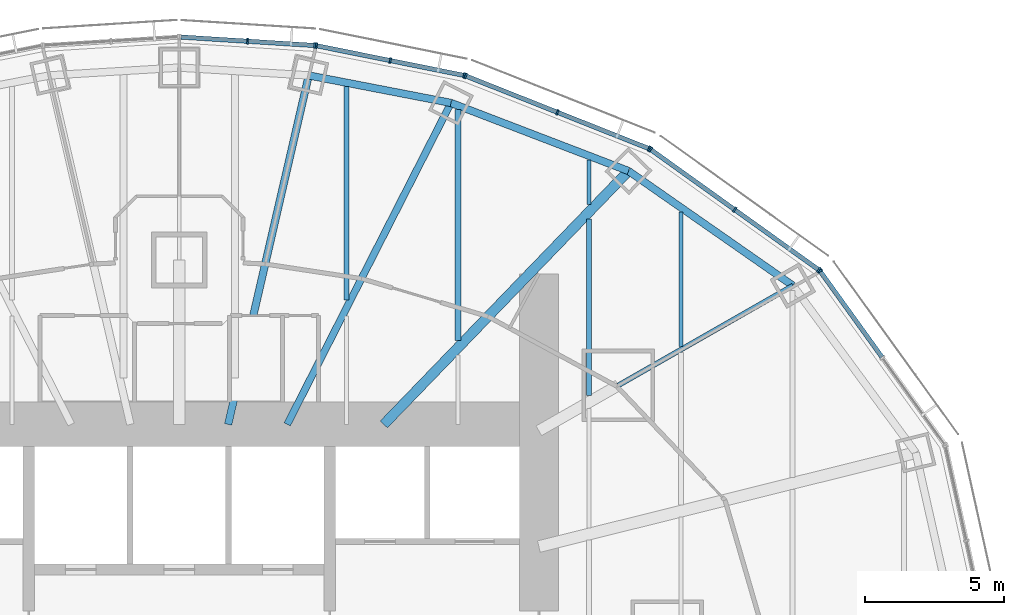
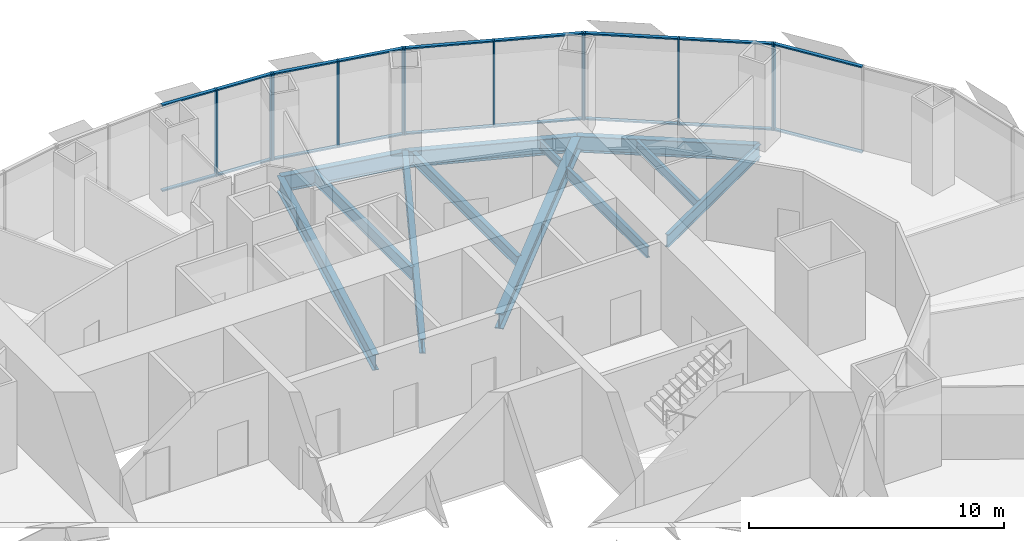
# One storey, part 8 of 18: 30 members, 12 beams, 5 elements without a shape of their own.
"""IFC4 building model written with IfcOpenShell, lengths in metres."""

from ifc_helpers import new_model, si_unit, direction, frame, origin, origin_2d, place, context, subcontext, project, spatial, rectangle, i_section, extrude, material, material_profile, profile_set, type_object, element, aggregate, save


model = new_model("IFC4")

# Units and contexts
model_context = context("Model", 3, precision=1e-05, world=origin(), true_north=direction((0.0, 1.0)))
body_context = subcontext(model_context, "Body", "Model", "MODEL_VIEW")
ifc_project = project(units=[si_unit("LENGTHUNIT", "METRE"), si_unit("AREAUNIT", "SQUARE_METRE"), si_unit("VOLUMEUNIT", "CUBIC_METRE"), si_unit("PLANEANGLEUNIT", "RADIAN"), si_unit("MASSUNIT", "GRAM", prefix="KILO")], contexts=[model_context])

# Site, building, storey
site_placement = place(None, origin())
site = spatial("IfcSite", under=ifc_project, at=site_placement, CompositionType="ELEMENT")
building_placement = place(site_placement, origin())
building = spatial("IfcBuilding", under=site, at=building_placement, Name="Lantaw Convention Tower", CompositionType="ELEMENT")
storey_placement = place(building_placement, frame((0.0, 0.0, 146.800048828125)))
storey = spatial("IfcBuildingStorey", under=building, at=storey_placement, Name="L34", CompositionType="ELEMENT", Elevation=146.800048828125)

# Beams
ifc_material_1 = material(Name="Steel ASTM A992", Category="steel")
ifc_material_profile_1 = material_profile(ifc_material_1, i_section(OverallWidth=0.2666015625, OverallDepth=0.76953125, WebThickness=0.015625, FlangeThickness=0.025390625, FilletRadius=0.0126953125, at=origin_2d()), Name="W30X132")
ifc_profile_set_1 = profile_set([ifc_material_profile_1], Name="Steel ASTM A992")
beam_type_1 = type_object("IfcBeamType", Name="Beam E W30X132", PredefinedType="SPANDREL", material=ifc_profile_set_1)
beam_1_placement = place(storey_placement, frame((22.013916015625, 12.579345703125, -0.534912109375), z_axis=(-0.820310765287, 0.57191804339, 0.0), x_axis=(-0.57191804339, -0.820310765287, 0.0)))
element("IfcBeam", 1, at=beam_1_placement, inside=storey, type_object=beam_type_1, Name="Edge beam 3", PredefinedType="SPANDREL", context=body_context, shape_type="SweptSolid", body=[
    extrude(i_section(OverallWidth=0.2666015625, OverallDepth=0.76953125, WebThickness=0.015625, FlangeThickness=0.025390625, FilletRadius=0.0126953125, at=origin_2d()), origin(), (0.0, 0.0, 1.0), 7.187744140625),
])
beam_2_placement = place(storey_placement, frame((16.11767578125, 16.690185546875, -0.534912109375), z_axis=(-0.933691081977, 0.358079549033, 0.0), x_axis=(-0.358079549033, -0.933691081977, 0.0)))
element("IfcBeam", 2, at=beam_2_placement, inside=storey, type_object=beam_type_1, Name="Edge beam 4", PredefinedType="SPANDREL", context=body_context, shape_type="SweptSolid", body=[
    extrude(i_section(OverallWidth=0.2666015625, OverallDepth=0.76953125, WebThickness=0.015625, FlangeThickness=0.025390625, FilletRadius=0.0126953125, at=origin_2d()), origin(), (0.0, 0.0, 1.0), 6.821533203125),
])
beam_3_placement = place(storey_placement, frame((9.74853515625, 19.1328125, -0.534912109375), z_axis=(-0.981796805654, 0.189934284446, 0.0), x_axis=(-0.189934284446, -0.981796805654, 0.0)))
element("IfcBeam", 3, at=beam_3_placement, inside=storey, type_object=beam_type_1, Name="Edge beam 5", PredefinedType="SPANDREL", context=body_context, shape_type="SweptSolid", body=[
    extrude(i_section(OverallWidth=0.2666015625, OverallDepth=0.76953125, WebThickness=0.015625, FlangeThickness=0.025390625, FilletRadius=0.0126953125, at=origin_2d()), origin(), (0.0, 0.0, 1.0), 5.1982421875),
])
ifc_material_profile_2 = material_profile(ifc_material_1, i_section(OverallWidth=0.177978515625, OverallDepth=0.599365234375, WebThickness=0.010009765625, FlangeThickness=0.012939453125, FilletRadius=0.012939453125, at=origin_2d()), Name="W24X55")
ifc_profile_set_2 = profile_set([ifc_material_profile_2], Name="Steel ASTM A992")
beam_type_2 = type_object("IfcBeamType", Name="Beam G W24X55", PredefinedType="BEAM", material=ifc_profile_set_2)
beam_4_placement = place(storey_placement, frame((15.75, 9.0, -0.44970703125), z_axis=(0.868245224608, 0.496135293993, 0.0), x_axis=(-0.496135293993, 0.868245224608, 0.0)))
element("IfcBeam", 4, at=beam_4_placement, inside=storey, type_object=beam_type_2, Name="Floor girder on ray 3", PredefinedType="BEAM", context=body_context, shape_type="SweptSolid", body=[
    extrude(i_section(OverallWidth=0.177978515625, OverallDepth=0.599365234375, WebThickness=0.010009765625, FlangeThickness=0.012939453125, FilletRadius=0.012939453125, at=origin_2d()), origin(), (0.0, 0.0, 1.0), 7.21435546875),
])
ifc_material_profile_3 = material_profile(ifc_material_1, i_section(OverallWidth=0.25390625, OverallDepth=0.700927734375, WebThickness=0.015380859375, FlangeThickness=0.02783203125, FilletRadius=0.01513671875, at=origin_2d()), Name="W27X129")
ifc_profile_set_3 = profile_set([ifc_material_profile_3], Name="Steel ASTM A992")
beam_type_3 = type_object("IfcBeamType", Name="Beam G W27X129", PredefinedType="BEAM", material=ifc_profile_set_3)
beam_5_placement = place(storey_placement, frame((3.872314453125, 7.60009765625, -0.50048828125), z_axis=(0.453991051051, 0.891006243281, 0.0), x_axis=(-0.891006243281, 0.453991051051, 0.0)))
element("IfcBeam", 5, at=beam_5_placement, inside=storey, type_object=beam_type_3, Name="Floor girder on ray 5", PredefinedType="BEAM", context=body_context, shape_type="SweptSolid", body=[
    extrude(i_section(OverallWidth=0.25390625, OverallDepth=0.700927734375, WebThickness=0.015380859375, FlangeThickness=0.02783203125, FilletRadius=0.01513671875, at=origin_2d()), origin(), (0.0, 0.0, 1.0), 12.943359375),
])
ifc_material_profile_4 = material_profile(ifc_material_1, i_section(OverallWidth=0.360595703125, OverallDepth=0.72900390625, WebThickness=0.023193359375, FlangeThickness=0.041015625, FilletRadius=0.0126953125, at=origin_2d()), Name="W27X235")
ifc_profile_set_4 = profile_set([ifc_material_profile_4], Name="Steel ASTM A992")
beam_type_4 = type_object("IfcBeamType", Name="Beam G W27X235", PredefinedType="BEAM", material=ifc_profile_set_4)
beam_6_placement = place(storey_placement, frame((7.33935546875, 7.60009765625, -0.5146484375), z_axis=(0.694663467407, 0.719334878239, 0.0), x_axis=(-0.719334878239, 0.694663467407, 0.0)))
element("IfcBeam", 6, at=beam_6_placement, inside=storey, type_object=beam_type_4, Name="Floor girder on ray 4", PredefinedType="BEAM", context=body_context, shape_type="SweptSolid", body=[
    extrude(i_section(OverallWidth=0.360595703125, OverallDepth=0.72900390625, WebThickness=0.023193359375, FlangeThickness=0.041015625, FilletRadius=0.0126953125, at=origin_2d()), origin(), (0.0, 0.0, 1.0), 12.63671875),
])
ifc_material_profile_5 = material_profile(ifc_material_1, i_section(OverallWidth=0.2666015625, OverallDepth=0.7568359375, WebThickness=0.013916015625, FlangeThickness=0.019287109375, FilletRadius=0.0126953125, at=origin_2d()), Name="W30X108")
ifc_profile_set_5 = profile_set([ifc_material_profile_5], Name="Steel ASTM A992")
beam_type_5 = type_object("IfcBeamType", Name="Beam G W30X108", PredefinedType="BEAM", material=ifc_profile_set_5)
beam_7_placement = place(storey_placement, frame((1.754638671875, 7.60009765625, -0.528564453125), z_axis=(0.224944153104, 0.974371658036, 0.0), x_axis=(-0.974371658036, 0.224944153104, 0.0)))
element("IfcBeam", 7, at=beam_7_placement, inside=storey, type_object=beam_type_5, Name="Floor girder on ray 6", PredefinedType="BEAM", context=body_context, shape_type="SweptSolid", body=[
    extrude(i_section(OverallWidth=0.2666015625, OverallDepth=0.7568359375, WebThickness=0.013916015625, FlangeThickness=0.019287109375, FilletRadius=0.0126953125, at=origin_2d()), origin(), (0.0, 0.0, 1.0), 12.849365234375),
])
ifc_material_profile_6 = material_profile(ifc_material_1, i_section(OverallWidth=0.140380859375, OverallDepth=0.40380859375, WebThickness=0.007080078125, FlangeThickness=0.01123046875, FilletRadius=0.01025390625, at=origin_2d()), Name="W16X31")
ifc_profile_set_6 = profile_set([ifc_material_profile_6], Name="Steel ASTM A992")
beam_type_6 = type_object("IfcBeamType", Name="Beam J W16X31", PredefinedType="JOIST", material=ifc_profile_set_6)
beam_8_placement = place(storey_placement, frame((14.699951171875, 15.48193359375, -0.35205078125), z_axis=(0.0, 1.0, 0.0), x_axis=(-1.0, 0.0, 0.0)))
element("IfcBeam", 8, at=beam_8_placement, inside=storey, type_object=beam_type_6, Name="Floor joist", PredefinedType="JOIST", context=body_context, shape_type="SweptSolid", body=[
    extrude(i_section(OverallWidth=0.140380859375, OverallDepth=0.40380859375, WebThickness=0.007080078125, FlangeThickness=0.01123046875, FilletRadius=0.01025390625, at=origin_2d()), origin(), (0.0, 0.0, 1.0), 1.609130859375),
])
ifc_material_profile_7 = material_profile(ifc_material_1, i_section(OverallWidth=0.15234375, OverallDepth=0.449462890625, WebThickness=0.007568359375, FlangeThickness=0.0107421875, FilletRadius=0.01025390625, at=origin_2d()), Name="W18X35")
ifc_profile_set_7 = profile_set([ifc_material_profile_7], Name="Steel ASTM A992")
beam_type_7 = type_object("IfcBeamType", Name="Beam J W18X35", PredefinedType="JOIST", material=ifc_profile_set_7)
beam_9_placement = place(storey_placement, frame((18.0, 10.38818359375, -0.374755859375), z_axis=(0.0, 1.0, 0.0), x_axis=(-1.0, 0.0, 0.0)))
element("IfcBeam", 9, at=beam_9_placement, inside=storey, type_object=beam_type_7, Name="Floor joist", PredefinedType="JOIST", context=body_context, shape_type="SweptSolid", body=[
    extrude(i_section(OverallWidth=0.15234375, OverallDepth=0.449462890625, WebThickness=0.007568359375, FlangeThickness=0.0107421875, FilletRadius=0.01025390625, at=origin_2d()), origin(), (0.0, 0.0, 1.0), 4.8271484375),
])
ifc_material_profile_8 = material_profile(ifc_material_1, i_section(OverallWidth=0.1650390625, OverallDepth=0.52587890625, WebThickness=0.0087890625, FlangeThickness=0.011474609375, FilletRadius=0.0126953125, at=origin_2d()), Name="W21X44")
ifc_profile_set_8 = profile_set([ifc_material_profile_8], Name="Steel ASTM A992")
beam_type_8 = type_object("IfcBeamType", Name="Beam J W21X44", PredefinedType="JOIST", material=ifc_profile_set_8)
beam_10_placement = place(storey_placement, frame((14.699951171875, 8.632568359375, -0.412841796875), z_axis=(0.0, 1.0, 0.0), x_axis=(-1.0, 0.0, 0.0)))
element("IfcBeam", 10, at=beam_10_placement, inside=storey, type_object=beam_type_8, Name="Floor joist", PredefinedType="JOIST", context=body_context, shape_type="SweptSolid", body=[
    extrude(i_section(OverallWidth=0.1650390625, OverallDepth=0.52587890625, WebThickness=0.0087890625, FlangeThickness=0.011474609375, FilletRadius=0.0126953125, at=origin_2d()), origin(), (0.0, 0.0, 1.0), 6.330078125),
])
ifc_material_profile_9 = material_profile(ifc_material_1, i_section(OverallWidth=0.2099609375, OverallDepth=0.535888671875, WebThickness=0.010986328125, FlangeThickness=0.017333984375, FilletRadius=0.012939453125, at=origin_2d()), Name="W21X68")
ifc_profile_set_9 = profile_set([ifc_material_profile_9], Name="Steel ASTM A992")
beam_type_9 = type_object("IfcBeamType", Name="Beam J W21X68", PredefinedType="JOIST", material=ifc_profile_set_9)
beam_11_placement = place(storey_placement, frame((10.0, 10.614990234375, -0.41796875), z_axis=(0.0, 1.0, 0.0), x_axis=(-1.0, 0.0, 0.0)))
element("IfcBeam", 11, at=beam_11_placement, inside=storey, type_object=beam_type_9, Name="Floor joist", PredefinedType="JOIST", context=body_context, shape_type="SweptSolid", body=[
    extrude(i_section(OverallWidth=0.2099609375, OverallDepth=0.535888671875, WebThickness=0.010986328125, FlangeThickness=0.017333984375, FilletRadius=0.012939453125, at=origin_2d()), origin(), (0.0, 0.0, 1.0), 8.278564453125),
])
ifc_material_profile_10 = material_profile(ifc_material_1, i_section(OverallWidth=0.177978515625, OverallDepth=0.599365234375, WebThickness=0.010009765625, FlangeThickness=0.012939453125, FilletRadius=0.012939453125, at=origin_2d()), Name="W24X55")
ifc_profile_set_10 = profile_set([ifc_material_profile_10], Name="Steel ASTM A992")
beam_type_10 = type_object("IfcBeamType", Name="Beam J W24X55", PredefinedType="JOIST", material=ifc_profile_set_10)
beam_12_placement = place(storey_placement, frame((6.0, 12.055419921875, -0.44970703125), z_axis=(0.0, 1.0, 0.0), x_axis=(-1.0, 0.0, 0.0)))
element("IfcBeam", 12, at=beam_12_placement, inside=storey, type_object=beam_type_10, Name="Floor joist", PredefinedType="JOIST", context=body_context, shape_type="SweptSolid", body=[
    extrude(i_section(OverallWidth=0.177978515625, OverallDepth=0.599365234375, WebThickness=0.010009765625, FlangeThickness=0.012939453125, FilletRadius=0.012939453125, at=origin_2d()), origin(), (0.0, 0.0, 1.0), 7.666748046875),
])

# Curtain wall, member
ifc_material_2 = material(Name="Aluminium framed curtain wall", Category="aluminium")
curtain_wall_type = type_object("IfcCurtainWallType", Name="Office curtain wall low rise, pale aluminium", PredefinedType="USERDEFINED", material=ifc_material_2)
curtain_wall_1_placement = place(storey_placement, origin())
curtain_wall_1 = element("IfcCurtainWall", 13, at=curtain_wall_1_placement, inside=storey, type_object=curtain_wall_type, Name="Office curtain wall low rise, pale aluminium L34", ObjectType="UNITISED CURTAIN WALL", PredefinedType="USERDEFINED")
ifc_material_3 = material(Name="Aluminium 6063-T6", Category="aluminium")
ifc_material_profile_11 = material_profile(ifc_material_3, rectangle(XDim=0.199951171875, YDim=0.06494140625, at=origin_2d()), Name="CW-O1 mullion 65x200")
ifc_profile_set_11 = profile_set([ifc_material_profile_11], Name="Aluminium 6063-T6")
member_type_1 = type_object("IfcMemberType", Name="CW-O1 mullion 65x200", PredefinedType="MULLION", material=ifc_profile_set_11)
member_1_placement = place(storey_placement, frame((22.988037109375, 13.098876953125, -0.150146484375), z_axis=(0.0, 0.0, 1.0), x_axis=(-0.811384633629, -0.584512597221, 0.0)))
member_1 = element("IfcMember", 14, at=member_1_placement, type_object=member_type_1, Name="CW-O1 mullion 3", PredefinedType="MULLION", context=body_context, shape_type="SweptSolid", body=[
    extrude(rectangle(XDim=0.199951171875, YDim=0.06494140625, at=origin_2d()), origin(), (0.0, 0.0, 1.0), 4.150146484375),
])

# Curtain wall, members
curtain_wall_2_placement = place(storey_placement, origin())
curtain_wall_2 = element("IfcCurtainWall", 15, at=curtain_wall_2_placement, inside=storey, type_object=curtain_wall_type, Name="Office curtain wall low rise, pale aluminium L34", ObjectType="UNITISED CURTAIN WALL", PredefinedType="USERDEFINED")
member_2_placement = place(storey_placement, frame((22.942626953125, 13.14404296875, -0.150146484375), z_axis=(0.0, 0.0, 1.0), x_axis=(-0.581972695693, -0.813208325995, 0.0)))
member_2 = element("IfcMember", 16, at=member_2_placement, type_object=member_type_1, Name="CW-O1 mullion 1", PredefinedType="MULLION", context=body_context, shape_type="SweptSolid", body=[
    extrude(rectangle(XDim=0.199951171875, YDim=0.06494140625, at=origin_2d()), origin(), (0.0, 0.0, 1.0), 4.150146484375),
])
member_3_placement = place(storey_placement, frame((19.92529296875, 15.303466796875, -0.150146484375), z_axis=(0.0, 0.0, 1.0), x_axis=(-0.581972695693, -0.813208325995, 0.0)))
member_3 = element("IfcMember", 17, at=member_3_placement, type_object=member_type_1, Name="CW-O1 mullion 2", PredefinedType="MULLION", context=body_context, shape_type="SweptSolid", body=[
    extrude(rectangle(XDim=0.199951171875, YDim=0.06494140625, at=origin_2d()), origin(), (0.0, 0.0, 1.0), 4.150146484375),
])
member_4_placement = place(storey_placement, frame((16.908203125, 17.462646484375, -0.150146484375), z_axis=(0.0, 0.0, 1.0), x_axis=(-0.581972695693, -0.813208325995, 0.0)))
member_4 = element("IfcMember", 18, at=member_4_placement, type_object=member_type_1, Name="CW-O1 mullion 3", PredefinedType="MULLION", context=body_context, shape_type="SweptSolid", body=[
    extrude(rectangle(XDim=0.199951171875, YDim=0.06494140625, at=origin_2d()), origin(), (0.0, 0.0, 1.0), 4.150146484375),
])

curtain_wall_3_placement = place(storey_placement, origin())
curtain_wall_3 = element("IfcCurtainWall", 19, at=curtain_wall_3_placement, inside=storey, type_object=curtain_wall_type, Name="Office curtain wall low rise, pale aluminium L34", ObjectType="UNITISED CURTAIN WALL", PredefinedType="USERDEFINED")
member_5_placement = place(storey_placement, frame((16.8515625, 17.49365234375, -0.150146484375), z_axis=(0.0, 0.0, 1.0), x_axis=(-0.368701907483, -0.929547687544, 0.0)))
member_5 = element("IfcMember", 20, at=member_5_placement, type_object=member_type_1, Name="CW-O1 mullion 1", PredefinedType="MULLION", context=body_context, shape_type="SweptSolid", body=[
    extrude(rectangle(XDim=0.199951171875, YDim=0.06494140625, at=origin_2d()), origin(), (0.0, 0.0, 1.0), 4.150146484375),
])
member_6_placement = place(storey_placement, frame((13.56494140625, 18.797119140625, -0.150146484375), z_axis=(0.0, 0.0, 1.0), x_axis=(-0.368701907483, -0.929547687544, 0.0)))
member_6 = element("IfcMember", 21, at=member_6_placement, type_object=member_type_1, Name="CW-O1 mullion 2", PredefinedType="MULLION", context=body_context, shape_type="SweptSolid", body=[
    extrude(rectangle(XDim=0.199951171875, YDim=0.06494140625, at=origin_2d()), origin(), (0.0, 0.0, 1.0), 4.150146484375),
])
member_7_placement = place(storey_placement, frame((10.2783203125, 20.100830078125, -0.150146484375), z_axis=(0.0, 0.0, 1.0), x_axis=(-0.368701907483, -0.929547687544, 0.0)))
member_7 = element("IfcMember", 22, at=member_7_placement, type_object=member_type_1, Name="CW-O1 mullion 3", PredefinedType="MULLION", context=body_context, shape_type="SweptSolid", body=[
    extrude(rectangle(XDim=0.199951171875, YDim=0.06494140625, at=origin_2d()), origin(), (0.0, 0.0, 1.0), 4.150146484375),
])

curtain_wall_4_placement = place(storey_placement, origin())
curtain_wall_4 = element("IfcCurtainWall", 23, at=curtain_wall_4_placement, inside=storey, type_object=curtain_wall_type, Name="Office curtain wall low rise, pale aluminium L34", ObjectType="UNITISED CURTAIN WALL", PredefinedType="USERDEFINED")
member_8_placement = place(storey_placement, frame((10.216064453125, 20.119140625, -0.150146484375), z_axis=(0.0, 0.0, 1.0), x_axis=(-0.197506809659, -0.980301514912, 0.0)))
member_8 = element("IfcMember", 24, at=member_8_placement, type_object=member_type_1, Name="CW-O1 mullion 1", PredefinedType="MULLION", context=body_context, shape_type="SweptSolid", body=[
    extrude(rectangle(XDim=0.199951171875, YDim=0.06494140625, at=origin_2d()), origin(), (0.0, 0.0, 1.0), 4.150146484375),
])
member_9_placement = place(storey_placement, frame((7.5703125, 20.65234375, -0.150146484375), z_axis=(0.0, 0.0, 1.0), x_axis=(-0.197506809659, -0.980301514912, 0.0)))
member_9 = element("IfcMember", 25, at=member_9_placement, type_object=member_type_1, Name="CW-O1 mullion 2", PredefinedType="MULLION", context=body_context, shape_type="SweptSolid", body=[
    extrude(rectangle(XDim=0.199951171875, YDim=0.06494140625, at=origin_2d()), origin(), (0.0, 0.0, 1.0), 4.150146484375),
])
member_10_placement = place(storey_placement, frame((4.92431640625, 21.185302734375, -0.150146484375), z_axis=(0.0, 0.0, 1.0), x_axis=(-0.197506809659, -0.980301514912, 0.0)))
member_10 = element("IfcMember", 26, at=member_10_placement, type_object=member_type_1, Name="CW-O1 mullion 3", PredefinedType="MULLION", context=body_context, shape_type="SweptSolid", body=[
    extrude(rectangle(XDim=0.199951171875, YDim=0.06494140625, at=origin_2d()), origin(), (0.0, 0.0, 1.0), 4.150146484375),
])

curtain_wall_5_placement = place(storey_placement, origin())
curtain_wall_5 = element("IfcCurtainWall", 27, at=curtain_wall_5_placement, inside=storey, type_object=curtain_wall_type, Name="Office curtain wall low rise, pale aluminium L34", ObjectType="UNITISED CURTAIN WALL", PredefinedType="USERDEFINED")
member_11_placement = place(storey_placement, frame((4.860107421875, 21.19384765625, -0.150146484375), z_axis=(0.0, 0.0, 1.0), x_axis=(-0.062865059466, -0.998022035978, 0.0)))
member_11 = element("IfcMember", 28, at=member_11_placement, type_object=member_type_1, Name="CW-O1 mullion 1", PredefinedType="MULLION", context=body_context, shape_type="SweptSolid", body=[
    extrude(rectangle(XDim=0.199951171875, YDim=0.06494140625, at=origin_2d()), origin(), (0.0, 0.0, 1.0), 4.150146484375),
])
member_12_placement = place(storey_placement, frame((2.4462890625, 21.345947265625, -0.150146484375), z_axis=(0.0, 0.0, 1.0), x_axis=(-0.062865059466, -0.998022035978, 0.0)))
member_12 = element("IfcMember", 29, at=member_12_placement, type_object=member_type_1, Name="CW-O1 mullion 2", PredefinedType="MULLION", context=body_context, shape_type="SweptSolid", body=[
    extrude(rectangle(XDim=0.199951171875, YDim=0.06494140625, at=origin_2d()), origin(), (0.0, 0.0, 1.0), 4.150146484375),
])

# Member
ifc_material_profile_12 = material_profile(ifc_material_3, rectangle(XDim=0.159912109375, YDim=0.06494140625, at=origin_2d()), Name="CW-O1 transom 65x160")
ifc_profile_set_12 = profile_set([ifc_material_profile_12], Name="Aluminium 6063-T6")
member_type_2 = type_object("IfcMemberType", Name="CW-O1 transom 65x160", PredefinedType="USERDEFINED", material=ifc_profile_set_12)
member_13_placement = place(storey_placement, frame((25.209228515625, 10.015625, -0.117431640625), z_axis=(-0.584512973979, 0.811384362217, 0.0), x_axis=(-0.811384362217, -0.584512973979, 0.0)))
member_13 = element("IfcMember", 30, at=member_13_placement, type_object=member_type_2, Name="CW-O1 transom 2.1", ObjectType="TRANSOM", PredefinedType="USERDEFINED", context=body_context, shape_type="SweptSolid", body=[
    extrude(rectangle(XDim=0.159912109375, YDim=0.06494140625, at=origin_2d()), origin(), (0.0, 0.0, 1.0), 3.767578125),
])

member_14_placement = place(storey_placement, frame((25.209228515625, 10.015625, 3.967529296875), z_axis=(-0.584512973979, 0.811384362217, 0.0), x_axis=(-0.811384362217, -0.584512973979, 0.0)))
member_14 = element("IfcMember", 31, at=member_14_placement, type_object=member_type_2, Name="CW-O1 transom 2.2", ObjectType="TRANSOM", PredefinedType="USERDEFINED", context=body_context, shape_type="SweptSolid", body=[
    extrude(rectangle(XDim=0.159912109375, YDim=0.06494140625, at=origin_2d()), origin(), (0.0, 0.0, 1.0), 3.767578125),
])

aggregate(curtain_wall_1, [member_1, member_13, member_14])

member_15_placement = place(storey_placement, frame((22.916259765625, 13.1630859375, -0.117431640625), z_axis=(-0.813221785972, 0.581953887194, 0.0), x_axis=(-0.581953887194, -0.813221785972, 0.0)))
member_15 = element("IfcMember", 32, at=member_15_placement, type_object=member_type_2, Name="CW-O1 transom 1.1", ObjectType="TRANSOM", PredefinedType="USERDEFINED", context=body_context, shape_type="SweptSolid", body=[
    extrude(rectangle(XDim=0.159912109375, YDim=0.06494140625, at=origin_2d()), origin(), (0.0, 0.0, 1.0), 3.645263671875),
])

member_16_placement = place(storey_placement, frame((22.916259765625, 13.1630859375, 3.967529296875), z_axis=(-0.813221785972, 0.581953887194, 0.0), x_axis=(-0.581953887194, -0.813221785972, 0.0)))
member_16 = element("IfcMember", 33, at=member_16_placement, type_object=member_type_2, Name="CW-O1 transom 1.2", ObjectType="TRANSOM", PredefinedType="USERDEFINED", context=body_context, shape_type="SweptSolid", body=[
    extrude(rectangle(XDim=0.159912109375, YDim=0.06494140625, at=origin_2d()), origin(), (0.0, 0.0, 1.0), 3.645263671875),
])

member_17_placement = place(storey_placement, frame((19.89892578125, 15.322265625, -0.117431640625), z_axis=(-0.813190089133, 0.581998177777, 0.0), x_axis=(-0.581998177777, -0.813190089133, 0.0)))
member_17 = element("IfcMember", 34, at=member_17_placement, type_object=member_type_2, Name="CW-O1 transom 2.1", ObjectType="TRANSOM", PredefinedType="USERDEFINED", context=body_context, shape_type="SweptSolid", body=[
    extrude(rectangle(XDim=0.159912109375, YDim=0.06494140625, at=origin_2d()), origin(), (0.0, 0.0, 1.0), 3.645263671875),
])

member_18_placement = place(storey_placement, frame((19.89892578125, 15.322265625, 3.967529296875), z_axis=(-0.813190089133, 0.581998177777, 0.0), x_axis=(-0.581998177777, -0.813190089133, 0.0)))
member_18 = element("IfcMember", 35, at=member_18_placement, type_object=member_type_2, Name="CW-O1 transom 2.2", ObjectType="TRANSOM", PredefinedType="USERDEFINED", context=body_context, shape_type="SweptSolid", body=[
    extrude(rectangle(XDim=0.159912109375, YDim=0.06494140625, at=origin_2d()), origin(), (0.0, 0.0, 1.0), 3.645263671875),
])

aggregate(curtain_wall_2, [member_2, member_3, member_4, member_15, member_16, member_17, member_18])

member_19_placement = place(storey_placement, frame((16.8212890625, 17.505615234375, -0.117431640625), z_axis=(-0.929564188507, 0.368660303592, 0.0), x_axis=(-0.368660303592, -0.929564188507, 0.0)))
member_19 = element("IfcMember", 36, at=member_19_placement, type_object=member_type_2, Name="CW-O1 transom 1.1", ObjectType="TRANSOM", PredefinedType="USERDEFINED", context=body_context, shape_type="SweptSolid", body=[
    extrude(rectangle(XDim=0.159912109375, YDim=0.06494140625, at=origin_2d()), origin(), (0.0, 0.0, 1.0), 3.470703125),
])

member_20_placement = place(storey_placement, frame((16.8212890625, 17.505615234375, 3.967529296875), z_axis=(-0.929564188507, 0.368660303592, 0.0), x_axis=(-0.368660303592, -0.929564188507, 0.0)))
member_20 = element("IfcMember", 37, at=member_20_placement, type_object=member_type_2, Name="CW-O1 transom 1.2", ObjectType="TRANSOM", PredefinedType="USERDEFINED", context=body_context, shape_type="SweptSolid", body=[
    extrude(rectangle(XDim=0.159912109375, YDim=0.06494140625, at=origin_2d()), origin(), (0.0, 0.0, 1.0), 3.470703125),
])

member_21_placement = place(storey_placement, frame((13.53466796875, 18.80908203125, -0.117431640625), z_axis=(-0.929540081544, 0.368721082668, 0.0), x_axis=(-0.368721082668, -0.929540081544, 0.0)))
member_21 = element("IfcMember", 38, at=member_21_placement, type_object=member_type_2, Name="CW-O1 transom 2.1", ObjectType="TRANSOM", PredefinedType="USERDEFINED", context=body_context, shape_type="SweptSolid", body=[
    extrude(rectangle(XDim=0.159912109375, YDim=0.06494140625, at=origin_2d()), origin(), (0.0, 0.0, 1.0), 3.470947265625),
])

member_22_placement = place(storey_placement, frame((13.53466796875, 18.80908203125, 3.967529296875), z_axis=(-0.929540081544, 0.368721082668, 0.0), x_axis=(-0.368721082668, -0.929540081544, 0.0)))
member_22 = element("IfcMember", 39, at=member_22_placement, type_object=member_type_2, Name="CW-O1 transom 2.2", ObjectType="TRANSOM", PredefinedType="USERDEFINED", context=body_context, shape_type="SweptSolid", body=[
    extrude(rectangle(XDim=0.159912109375, YDim=0.06494140625, at=origin_2d()), origin(), (0.0, 0.0, 1.0), 3.470947265625),
])

aggregate(curtain_wall_3, [member_5, member_6, member_7, member_19, member_20, member_21, member_22])

member_23_placement = place(storey_placement, frame((10.184326171875, 20.125732421875, -0.117431640625), z_axis=(-0.980301643003, 0.197506173891, 0.0), x_axis=(-0.197506173891, -0.980301643003, 0.0)))
member_23 = element("IfcMember", 40, at=member_23_placement, type_object=member_type_2, Name="CW-O1 transom 1.1", ObjectType="TRANSOM", PredefinedType="USERDEFINED", context=body_context, shape_type="SweptSolid", body=[
    extrude(rectangle(XDim=0.159912109375, YDim=0.06494140625, at=origin_2d()), origin(), (0.0, 0.0, 1.0), 2.63427734375),
])

member_24_placement = place(storey_placement, frame((10.184326171875, 20.125732421875, 3.967529296875), z_axis=(-0.980301643003, 0.197506173891, 0.0), x_axis=(-0.197506173891, -0.980301643003, 0.0)))
member_24 = element("IfcMember", 41, at=member_24_placement, type_object=member_type_2, Name="CW-O1 transom 1.2", ObjectType="TRANSOM", PredefinedType="USERDEFINED", context=body_context, shape_type="SweptSolid", body=[
    extrude(rectangle(XDim=0.159912109375, YDim=0.06494140625, at=origin_2d()), origin(), (0.0, 0.0, 1.0), 2.63427734375),
])

member_25_placement = place(storey_placement, frame((7.538330078125, 20.65869140625, -0.117431640625), z_axis=(-0.980298027092, 0.197524120247, 0.0), x_axis=(-0.197524120247, -0.980298027092, 0.0)))
member_25 = element("IfcMember", 42, at=member_25_placement, type_object=member_type_2, Name="CW-O1 transom 2.1", ObjectType="TRANSOM", PredefinedType="USERDEFINED", context=body_context, shape_type="SweptSolid", body=[
    extrude(rectangle(XDim=0.159912109375, YDim=0.06494140625, at=origin_2d()), origin(), (0.0, 0.0, 1.0), 2.634033203125),
])

member_26_placement = place(storey_placement, frame((7.538330078125, 20.65869140625, 3.967529296875), z_axis=(-0.980298027092, 0.197524120247, 0.0), x_axis=(-0.197524120247, -0.980298027092, 0.0)))
member_26 = element("IfcMember", 43, at=member_26_placement, type_object=member_type_2, Name="CW-O1 transom 2.2", ObjectType="TRANSOM", PredefinedType="USERDEFINED", context=body_context, shape_type="SweptSolid", body=[
    extrude(rectangle(XDim=0.159912109375, YDim=0.06494140625, at=origin_2d()), origin(), (0.0, 0.0, 1.0), 2.634033203125),
])

aggregate(curtain_wall_4, [member_8, member_9, member_10, member_23, member_24, member_25, member_26])

member_27_placement = place(storey_placement, frame((4.82763671875, 21.19580078125, -0.117431640625), z_axis=(-0.998022188463, 0.062862638625, 0.0), x_axis=(-0.062862638625, -0.998022188463, 0.0)))
member_27 = element("IfcMember", 44, at=member_27_placement, type_object=member_type_2, Name="CW-O1 transom 1.1", ObjectType="TRANSOM", PredefinedType="USERDEFINED", context=body_context, shape_type="SweptSolid", body=[
    extrude(rectangle(XDim=0.159912109375, YDim=0.06494140625, at=origin_2d()), origin(), (0.0, 0.0, 1.0), 2.353515625),
])

member_28_placement = place(storey_placement, frame((4.82763671875, 21.19580078125, 3.967529296875), z_axis=(-0.998022188463, 0.062862638625, 0.0), x_axis=(-0.062862638625, -0.998022188463, 0.0)))
member_28 = element("IfcMember", 45, at=member_28_placement, type_object=member_type_2, Name="CW-O1 transom 1.2", ObjectType="TRANSOM", PredefinedType="USERDEFINED", context=body_context, shape_type="SweptSolid", body=[
    extrude(rectangle(XDim=0.159912109375, YDim=0.06494140625, at=origin_2d()), origin(), (0.0, 0.0, 1.0), 2.353515625),
])

member_29_placement = place(storey_placement, frame((2.413818359375, 21.347900390625, -0.117431640625), z_axis=(-0.998022188463, 0.062862638625, 0.0), x_axis=(-0.062862638625, -0.998022188463, 0.0)))
member_29 = element("IfcMember", 46, at=member_29_placement, type_object=member_type_2, Name="CW-O1 transom 2.1", ObjectType="TRANSOM", PredefinedType="USERDEFINED", context=body_context, shape_type="SweptSolid", body=[
    extrude(rectangle(XDim=0.159912109375, YDim=0.06494140625, at=origin_2d()), origin(), (0.0, 0.0, 1.0), 2.353515625),
])

member_30_placement = place(storey_placement, frame((2.413818359375, 21.347900390625, 3.967529296875), z_axis=(-0.998022188463, 0.062862638625, 0.0), x_axis=(-0.062862638625, -0.998022188463, 0.0)))
member_30 = element("IfcMember", 47, at=member_30_placement, type_object=member_type_2, Name="CW-O1 transom 2.2", ObjectType="TRANSOM", PredefinedType="USERDEFINED", context=body_context, shape_type="SweptSolid", body=[
    extrude(rectangle(XDim=0.159912109375, YDim=0.06494140625, at=origin_2d()), origin(), (0.0, 0.0, 1.0), 2.353515625),
])

aggregate(curtain_wall_5, [member_11, member_12, member_27, member_28, member_29, member_30])

save(model, "model.ifc")
